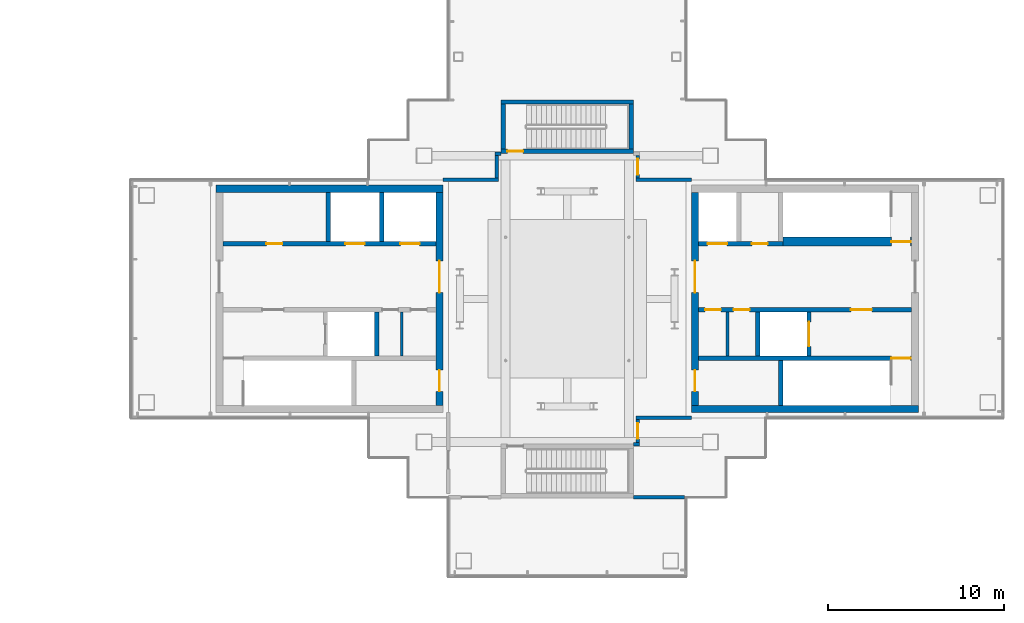
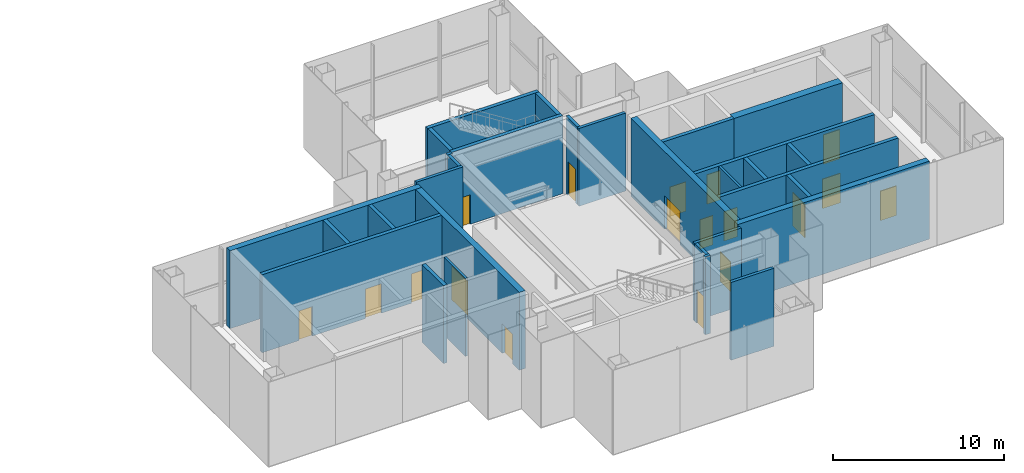
# One storey, part 11 of 17: 30 walls, 18 doors, 18 openings.
"""IFC4 building model written with IfcOpenShell, lengths in metres."""

from ifc_helpers import new_model, si_unit, direction, frame, frame_2d, origin, place, context, subcontext, project, spatial, rectangle, extrude, material, layer, layer_set, type_object, element, fill, save


model = new_model("IFC4")

# Units and contexts
model_context = context("Model", 3, precision=1e-05, world=origin(), true_north=direction((0.0, 1.0)))
body_context = subcontext(model_context, "Body", "Model", "MODEL_VIEW")
ifc_project = project(units=[si_unit("LENGTHUNIT", "METRE"), si_unit("AREAUNIT", "SQUARE_METRE"), si_unit("VOLUMEUNIT", "CUBIC_METRE"), si_unit("PLANEANGLEUNIT", "RADIAN"), si_unit("MASSUNIT", "GRAM", prefix="KILO")], contexts=[model_context])

# Site, building, storey
site_placement = place(None, origin())
site = spatial("IfcSite", under=ifc_project, at=site_placement, CompositionType="ELEMENT")
building_placement = place(site_placement, origin())
building = spatial("IfcBuilding", under=site, at=building_placement, Name="Shamsa Quay Exchange Towers", CompositionType="ELEMENT")
storey_placement = place(building_placement, frame((0.0, 0.0, 278.300048828125)))
storey = spatial("IfcBuildingStorey", under=building, at=storey_placement, Name="L67", CompositionType="ELEMENT", Elevation=278.300048828125)

# Wall
ifc_material_1 = material(Name="Concrete C60/75", Category="concrete")
ifc_layer_1 = layer(ifc_material_1, 0.39990234375)
ifc_layer_set_1 = layer_set([ifc_layer_1], Name="CORE WALL 400 C60/75")
wall_type_1 = type_object("IfcWallType", Name="CORE WALL 400 C60/75", PredefinedType="SHEAR", material=ifc_layer_set_1)
wall_1_placement = place(storey_placement, frame((13.800048828125, 6.25, 0.0)))
element("IfcWall", 1, at=wall_1_placement, inside=storey, type_object=wall_type_1, Name="Core wall T2A-L67-PN", PredefinedType="SHEAR", context=body_context, shape_type="SweptSolid", body=[
    extrude(rectangle(XDim=12.89990234375, YDim=0.39990234375, at=frame_2d((6.449951171875, 0.0))), origin(), (0.0, 0.0, 1.0), 5.550048828125),
])

# Wall, openings, doors
wall_2_placement = place(storey_placement, frame((26.5, 6.050048828125, 0.0), z_axis=(0.0, 0.0, 1.0), x_axis=(0.0, -1.0, 0.0)))
wall_2 = element("IfcWall", 2, at=wall_2_placement, inside=storey, type_object=wall_type_1, Name="Core wall T2A-L67-PB", PredefinedType="SHEAR", context=body_context, shape_type="SweptSolid", body=[
    extrude(rectangle(XDim=12.10009765625, YDim=0.39990234375, at=frame_2d((6.050048828125, 0.0))), origin(), (0.0, 0.0, 1.0), 5.550048828125),
])
opening_1_placement = place(wall_2_placement, frame((10.10009765625, 0.0, 0.0)))
opening_1 = element("IfcOpeningElement", 3, at=opening_1_placement, cuts=wall_2, Name="Opening T2A-L67-RD02", PredefinedType="OPENING", context=body_context, shape_type="SweptSolid", body=[
    extrude(rectangle(XDim=1.199951171875, YDim=2.10009765625, at=frame_2d((0.60009765625, 1.050048828125))), frame((0.0, 0.2099609375, 0.0), z_axis=(0.0, -1.0, 0.0), x_axis=(1.0, 0.0, 0.0)), (0.0, 0.0, 1.0), 0.419921875),
])
opening_2_placement = place(wall_2_placement, frame((3.89990234375, 0.0, 0.0)))
opening_2 = element("IfcOpeningElement", 4, at=opening_2_placement, cuts=wall_2, Name="Opening T2A-L67-LBD03", PredefinedType="OPENING", context=body_context, shape_type="SweptSolid", body=[
    extrude(rectangle(XDim=1.800048828125, YDim=2.39990234375, at=frame_2d((0.89990234375, 1.199951171875))), frame((0.0, 0.2099609375, 0.0), z_axis=(0.0, -1.0, 0.0), x_axis=(1.0, 0.0, 0.0)), (0.0, 0.0, 1.0), 0.419921875),
])
ifc_material_2 = material(Name="Steel, fire rated", Category="steel")
door_type_1 = type_object("IfcDoorType", Name="LIFT LOBBY DOOR PAIR 1800", OperationType="DOUBLE_DOOR_SINGLE_SWING", PredefinedType="DOOR", material=ifc_material_2)
door_1_placement = place(opening_2_placement, origin())
door_1 = element("IfcDoor", 5, at=door_1_placement, inside=storey, type_object=door_type_1, Name="T2A-L67-LBD03", OperationType="DOUBLE_DOOR_SINGLE_SWING", OverallHeight=2.39990234375, OverallWidth=1.800048828125, PredefinedType="DOOR", context=body_context, shape_type="SweptSolid", body=[
    extrude(rectangle(XDim=1.800048828125, YDim=2.39990234375, at=frame_2d((0.89990234375, 1.199951171875))), frame((0.0, 0.02490234375, 0.0), z_axis=(0.0, -1.0, 0.0), x_axis=(1.0, 0.0, 0.0)), (0.0, 0.0, 1.0), 0.050048828125),
])
fill(opening_2, door_1)
door_type_2 = type_object("IfcDoorType", Name="RISER ACCESS DOOR 1200", OperationType="SINGLE_SWING_LEFT", PredefinedType="DOOR", material=ifc_material_2)
door_2_placement = place(opening_1_placement, origin())
door_2 = element("IfcDoor", 6, at=door_2_placement, inside=storey, type_object=door_type_2, Name="T2A-L67-RD02", OperationType="SINGLE_SWING_RIGHT", OverallHeight=2.10009765625, OverallWidth=1.199951171875, PredefinedType="DOOR", context=body_context, shape_type="SweptSolid", body=[
    extrude(rectangle(XDim=1.199951171875, YDim=2.10009765625, at=frame_2d((0.60009765625, 1.050048828125))), frame((0.0, 0.02490234375, 0.0), z_axis=(0.0, -1.0, 0.0), x_axis=(1.0, 0.0, 0.0)), (0.0, 0.0, 1.0), 0.050048828125),
])
fill(opening_1, door_2)

# Wall
wall_3_placement = place(storey_placement, frame((53.699951171875, -6.25, 0.0), z_axis=(0.0, 0.0, 1.0), x_axis=(-1.0, 0.0, 0.0)))
element("IfcWall", 7, at=wall_3_placement, inside=storey, type_object=wall_type_1, Name="Core wall T2B-L67-PS", PredefinedType="SHEAR", context=body_context, shape_type="SweptSolid", body=[
    extrude(rectangle(XDim=12.89990234375, YDim=0.39990234375, at=frame_2d((6.449951171875, 0.0))), origin(), (0.0, 0.0, 1.0), 5.550048828125),
])

# Wall, openings, doors
wall_4_placement = place(storey_placement, frame((41.0, -6.050048828125, 0.0), z_axis=(0.0, 0.0, 1.0), x_axis=(0.0, 1.0, 0.0)))
wall_4 = element("IfcWall", 8, at=wall_4_placement, inside=storey, type_object=wall_type_1, Name="Core wall T2B-L67-PB", PredefinedType="SHEAR", context=body_context, shape_type="SweptSolid", body=[
    extrude(rectangle(XDim=12.10009765625, YDim=0.39990234375, at=frame_2d((6.050048828125, 0.0))), origin(), (0.0, 0.0, 1.0), 5.550048828125),
])
opening_3_placement = place(wall_4_placement, frame((0.800048828125, 0.0, 0.0)))
opening_3 = element("IfcOpeningElement", 9, at=opening_3_placement, cuts=wall_4, Name="Opening T2B-L67-RD02", PredefinedType="OPENING", context=body_context, shape_type="SweptSolid", body=[
    extrude(rectangle(XDim=1.199951171875, YDim=2.10009765625, at=frame_2d((0.60009765625, 1.050048828125))), frame((0.0, 0.2099609375, 0.0), z_axis=(0.0, -1.0, 0.0), x_axis=(1.0, 0.0, 0.0)), (0.0, 0.0, 1.0), 0.419921875),
])
opening_4_placement = place(wall_4_placement, frame((6.39990234375, 0.0, 0.0)))
opening_4 = element("IfcOpeningElement", 10, at=opening_4_placement, cuts=wall_4, Name="Opening T2B-L67-LBD03", PredefinedType="OPENING", context=body_context, shape_type="SweptSolid", body=[
    extrude(rectangle(XDim=1.800048828125, YDim=2.39990234375, at=frame_2d((0.89990234375, 1.199951171875))), frame((0.0, 0.2099609375, 0.0), z_axis=(0.0, -1.0, 0.0), x_axis=(1.0, 0.0, 0.0)), (0.0, 0.0, 1.0), 0.419921875),
])
door_3_placement = place(opening_4_placement, origin())
door_3 = element("IfcDoor", 11, at=door_3_placement, inside=storey, type_object=door_type_1, Name="T2B-L67-LBD03", OperationType="DOUBLE_DOOR_SINGLE_SWING", OverallHeight=2.39990234375, OverallWidth=1.800048828125, PredefinedType="DOOR", context=body_context, shape_type="SweptSolid", body=[
    extrude(rectangle(XDim=1.800048828125, YDim=2.39990234375, at=frame_2d((0.89990234375, 1.199951171875))), frame((0.0, 0.02490234375, 0.0), z_axis=(0.0, -1.0, 0.0), x_axis=(1.0, 0.0, 0.0)), (0.0, 0.0, 1.0), 0.050048828125),
])
fill(opening_4, door_3)
door_4_placement = place(opening_3_placement, origin())
door_4 = element("IfcDoor", 12, at=door_4_placement, inside=storey, type_object=door_type_2, Name="T2B-L67-RD02", OperationType="SINGLE_SWING_LEFT", OverallHeight=2.10009765625, OverallWidth=1.199951171875, PredefinedType="DOOR", context=body_context, shape_type="SweptSolid", body=[
    extrude(rectangle(XDim=1.199951171875, YDim=2.10009765625, at=frame_2d((0.60009765625, 1.050048828125))), frame((0.0, 0.02490234375, 0.0), z_axis=(0.0, -1.0, 0.0), x_axis=(1.0, 0.0, 0.0)), (0.0, 0.0, 1.0), 0.050048828125),
])
fill(opening_3, door_4)

# Walls
ifc_material_3 = material(Name="Gypsum board on steel studs, EI 60", Category="steel")
ifc_layer_2 = layer(ifc_material_3, 0.14990234375)
ifc_layer_set_2 = layer_set([ifc_layer_2], Name="FIRE PARTITION 150")
wall_type_2 = type_object("IfcWallType", Name="FIRE PARTITION 150", PredefinedType="PARTITIONING", material=ifc_layer_set_2)
for number, where, z_axis, x_axis, name in (
    (13, (24.35009765625, -3.25, 0.0), (0.0, 0.0, 1.0), (0.0, 1.0, 0.0), "Partition T2A-L67-EC0"),
    (14, (42.85009765625, -3.25, 0.0), (0.0, 0.0, 1.0), (0.0, 1.0, 0.0), "Partition T2B-L67-EC0"),
):
    element("IfcWall", number, at=place(storey_placement, frame(where, z_axis=z_axis, x_axis=x_axis)), inside=storey, type_object=wall_type_2, Name=name, PredefinedType="PARTITIONING", context=body_context, shape_type="SweptSolid", body=[
        extrude(rectangle(XDim=2.5, YDim=0.14990234375, at=frame_2d((1.25, 0.0))), origin(), (0.0, 0.0, 1.0), 5.550048828125),
    ])
ifc_material_4 = material(Name="Gypsum board partition on metal studs")
ifc_layer_3 = layer(ifc_material_4, 0.199951171875)
ifc_layer_set_3 = layer_set([ifc_layer_3], Name="Partition 200 mm EI 120")
wall_type_3 = type_object("IfcWallType", Name="Partition 200 mm EI 120", PredefinedType="PARTITIONING", material=ifc_layer_set_3)
for number, where, name in (
    (15, (37.64990234375, 6.75, 0.0), "Partition T2-L67-W01"),
    (16, (26.699951171875, 6.75, 0.0), "Partition T2-L67-W02"),
):
    element("IfcWall", number, at=place(storey_placement, frame(where)), inside=storey, type_object=wall_type_3, Name=name, PredefinedType="PARTITIONING", context=body_context, shape_type="SweptSolid", body=[
        extrude(rectangle(XDim=3.150146484375, YDim=0.199951171875, at=frame_2d((1.5751953125, 0.0))), origin(), (0.0, 0.0, 1.0), 5.550048828125),
    ])

# Wall, opening, door
wall_5_placement = place(storey_placement, frame((37.75, -6.85009765625, 0.0), z_axis=(0.0, 0.0, 1.0), x_axis=(0.0, -1.0, 0.0)))
wall_5 = element("IfcWall", 17, at=wall_5_placement, inside=storey, type_object=wall_type_3, Name="Partition T2-L67-W03", PredefinedType="PARTITIONING", context=body_context, shape_type="SweptSolid", body=[
    extrude(rectangle(XDim=1.2998046875, YDim=0.199951171875, at=frame_2d((0.64990234375, 0.0))), origin(), (0.0, 0.0, 1.0), 5.550048828125),
])
opening_5_placement = place(wall_5_placement, frame((0.199951171875, 0.0, 0.0)))
opening_5 = element("IfcOpeningElement", 18, at=opening_5_placement, cuts=wall_5, Name="Opening T2-L67-D01", PredefinedType="OPENING", context=body_context, shape_type="SweptSolid", body=[
    extrude(rectangle(XDim=0.89990234375, YDim=2.39990234375, at=frame_2d((0.449951171875, 1.199951171875))), frame((0.0, 0.10986328125, 0.0), z_axis=(0.0, -1.0, 0.0), x_axis=(1.0, 0.0, 0.0)), (0.0, 0.0, 1.0), 0.219970703125),
])
ifc_material_5 = material(Name="Timber door leaf in a metal frame", Category="wood")
door_type_3 = type_object("IfcDoorType", Name="Door 900x2400 FD60", OperationType="NOTDEFINED", PredefinedType="DOOR", material=ifc_material_5)
door_5_placement = place(opening_5_placement, origin())
door_5 = element("IfcDoor", 19, at=door_5_placement, inside=storey, type_object=door_type_3, Name="Door T2-L67-D01", OperationType="SINGLE_SWING_LEFT", OverallHeight=2.39990234375, OverallWidth=0.89990234375, PredefinedType="DOOR", context=body_context, shape_type="SweptSolid", body=[
    extrude(rectangle(XDim=0.89990234375, YDim=2.39990234375, at=frame_2d((0.449951171875, 1.199951171875))), frame((0.0, 0.02490234375, 0.0), z_axis=(0.0, -1.0, 0.0), x_axis=(1.0, 0.0, 0.0)), (0.0, 0.0, 1.0), 0.050048828125),
])
fill(opening_5, door_5)

wall_6_placement = place(storey_placement, frame((37.75, 8.14990234375, 0.0), z_axis=(0.0, 0.0, 1.0), x_axis=(0.0, -1.0, 0.0)))
wall_6 = element("IfcWall", 20, at=wall_6_placement, inside=storey, type_object=wall_type_3, Name="Partition T2-L67-W04", PredefinedType="PARTITIONING", context=body_context, shape_type="SweptSolid", body=[
    extrude(rectangle(XDim=1.2998046875, YDim=0.199951171875, at=frame_2d((0.64990234375, 0.0))), origin(), (0.0, 0.0, 1.0), 5.550048828125),
])
opening_6_placement = place(wall_6_placement, frame((0.199951171875, 0.0, 0.0)))
opening_6 = element("IfcOpeningElement", 21, at=opening_6_placement, cuts=wall_6, Name="Opening T2-L67-D02", PredefinedType="OPENING", context=body_context, shape_type="SweptSolid", body=[
    extrude(rectangle(XDim=0.89990234375, YDim=2.39990234375, at=frame_2d((0.449951171875, 1.199951171875))), frame((0.0, 0.10986328125, 0.0), z_axis=(0.0, -1.0, 0.0), x_axis=(1.0, 0.0, 0.0)), (0.0, 0.0, 1.0), 0.219970703125),
])
door_6_placement = place(opening_6_placement, origin())
door_6 = element("IfcDoor", 22, at=door_6_placement, inside=storey, type_object=door_type_3, Name="Door T2-L67-D02", OperationType="SINGLE_SWING_LEFT", OverallHeight=2.39990234375, OverallWidth=0.89990234375, PredefinedType="DOOR", context=body_context, shape_type="SweptSolid", body=[
    extrude(rectangle(XDim=0.89990234375, YDim=2.39990234375, at=frame_2d((0.449951171875, 1.199951171875))), frame((0.0, 0.02490234375, 0.0), z_axis=(0.0, -1.0, 0.0), x_axis=(1.0, 0.0, 0.0)), (0.0, 0.0, 1.0), 0.050048828125),
])
fill(opening_6, door_6)

# Walls
wall_7_placement = place(storey_placement, frame((29.64990234375, 8.25, 0.0)))
element("IfcWall", 23, at=wall_7_placement, inside=storey, type_object=wall_type_3, Name="Partition T2-L67-W06", PredefinedType="PARTITIONING", context=body_context, shape_type="SweptSolid", body=[
    extrude(rectangle(XDim=0.35009765625, YDim=0.199951171875, at=frame_2d((0.175048828125, 0.0))), origin(), (0.0, 0.0, 1.0), 5.550048828125),
])
wall_8_placement = place(storey_placement, frame((29.75, 6.85009765625, 0.0), z_axis=(0.0, 0.0, 1.0), x_axis=(0.0, 1.0, 0.0)))
element("IfcWall", 24, at=wall_8_placement, inside=storey, type_object=wall_type_3, Name="Partition T2-L67-W07", PredefinedType="PARTITIONING", context=body_context, shape_type="SweptSolid", body=[
    extrude(rectangle(XDim=1.2998046875, YDim=0.199951171875, at=frame_2d((0.64990234375, 0.0))), origin(), (0.0, 0.0, 1.0), 5.550048828125),
])
wall_9_placement = place(storey_placement, frame((37.85009765625, -8.25, 0.0), z_axis=(0.0, 0.0, 1.0), x_axis=(-1.0, 0.0, 0.0)))
element("IfcWall", 25, at=wall_9_placement, inside=storey, type_object=wall_type_3, Name="Partition T2-L67-W08", PredefinedType="PARTITIONING", context=body_context, shape_type="SweptSolid", body=[
    extrude(rectangle(XDim=0.35009765625, YDim=0.199951171875, at=frame_2d((0.175048828125, 0.0))), origin(), (0.0, 0.0, 1.0), 5.550048828125),
])
wall_10_placement = place(storey_placement, frame((40.800048828125, -6.75, 0.0), z_axis=(0.0, 0.0, 1.0), x_axis=(-1.0, 0.0, 0.0)))
element("IfcWall", 26, at=wall_10_placement, inside=storey, type_object=wall_type_3, Name="Partition T2-L67-W09", PredefinedType="PARTITIONING", context=body_context, shape_type="SweptSolid", body=[
    extrude(rectangle(XDim=3.150146484375, YDim=0.199951171875, at=frame_2d((1.5751953125, 0.0))), origin(), (0.0, 0.0, 1.0), 5.550048828125),
])
wall_11_placement = place(storey_placement, frame((37.5, -11.25, 0.0)))
element("IfcWall", 27, at=wall_11_placement, inside=storey, type_object=wall_type_3, Name="Partition T2-L67-W12", PredefinedType="PARTITIONING", context=body_context, shape_type="SweptSolid", body=[
    extrude(rectangle(XDim=2.905029296875, YDim=0.199951171875, at=frame_2d((1.45263671875, 0.0))), origin(), (0.0, 0.0, 1.0), 5.550048828125),
])
ifc_material_6 = material(Name="Concrete C50/60", Category="concrete")
ifc_layer_4 = layer(ifc_material_6, 0.25)
ifc_layer_set_4 = layer_set([ifc_layer_4], Name="SHAFT WALL 250 C50/60")
wall_type_4 = type_object("IfcWallType", Name="SHAFT WALL 250 C50/60", PredefinedType="SHEAR", material=ifc_layer_set_4)
wall_12_placement = place(storey_placement, frame((22.925048828125, -3.25, 0.0), z_axis=(0.0, 0.0, 1.0), x_axis=(0.0, 1.0, 0.0)))
element("IfcWall", 28, at=wall_12_placement, inside=storey, type_object=wall_type_4, Name="Shaft wall T2A-L67-FFB", PredefinedType="SHEAR", context=body_context, shape_type="SweptSolid", body=[
    extrude(rectangle(XDim=2.5, YDim=0.25, at=frame_2d((1.25, 0.0))), origin(), (0.0, 0.0, 1.0), 5.550048828125),
])

# Wall, openings, doors
wall_13_placement = place(storey_placement, frame((14.199951171875, 3.125, 0.0)))
wall_13 = element("IfcWall", 29, at=wall_13_placement, inside=storey, type_object=wall_type_4, Name="Shaft wall T2A-L67-N", PredefinedType="SHEAR", context=body_context, shape_type="SweptSolid", body=[
    extrude(rectangle(XDim=12.10009765625, YDim=0.25, at=frame_2d((6.050048828125, 0.0))), origin(), (0.0, 0.0, 1.0), 5.550048828125),
])
opening_7_placement = place(wall_13_placement, frame((6.949951171875, 0.0, 0.0)))
opening_7 = element("IfcOpeningElement", 30, at=opening_7_placement, cuts=wall_13, Name="Opening T2A-L67-LD09", PredefinedType="OPENING", context=body_context, shape_type="SweptSolid", body=[
    extrude(rectangle(XDim=1.10009765625, YDim=2.10009765625, at=frame_2d((0.550048828125, 1.050048828125))), frame((0.0, 0.135009765625, 0.0), z_axis=(0.0, -1.0, 0.0), x_axis=(1.0, 0.0, 0.0)), (0.0, 0.0, 1.0), 0.27001953125),
])
opening_8_placement = place(wall_13_placement, frame((10.074951171875, 0.0, 0.0)))
opening_8 = element("IfcOpeningElement", 31, at=opening_8_placement, cuts=wall_13, Name="Opening T2A-L67-LD10", PredefinedType="OPENING", context=body_context, shape_type="SweptSolid", body=[
    extrude(rectangle(XDim=1.10009765625, YDim=2.10009765625, at=frame_2d((0.550048828125, 1.050048828125))), frame((0.0, 0.135009765625, 0.0), z_axis=(0.0, -1.0, 0.0), x_axis=(1.0, 0.0, 0.0)), (0.0, 0.0, 1.0), 0.27001953125),
])
opening_9_placement = place(wall_13_placement, frame((2.47509765625, 0.0, 0.0)))
opening_9 = element("IfcOpeningElement", 32, at=opening_9_placement, cuts=wall_13, Name="Opening T2A-L67-SV11", PredefinedType="OPENING", context=body_context, shape_type="SweptSolid", body=[
    extrude(rectangle(XDim=0.89990234375, YDim=2.10009765625, at=frame_2d((0.449951171875, 1.050048828125))), frame((0.0, 0.135009765625, 0.0), z_axis=(0.0, -1.0, 0.0), x_axis=(1.0, 0.0, 0.0)), (0.0, 0.0, 1.0), 0.27001953125),
])
door_type_4 = type_object("IfcDoorType", Name="LANDING DOOR 1100", OperationType="SLIDING_TO_LEFT", PredefinedType="DOOR", material=ifc_material_2)
door_7_placement = place(opening_7_placement, origin())
door_7 = element("IfcDoor", 33, at=door_7_placement, inside=storey, type_object=door_type_4, Name="T2A-L67-LD09", OperationType="SLIDING_TO_LEFT", OverallHeight=2.10009765625, OverallWidth=1.10009765625, PredefinedType="DOOR", context=body_context, shape_type="SweptSolid", body=[
    extrude(rectangle(XDim=1.10009765625, YDim=2.10009765625, at=frame_2d((0.550048828125, 1.050048828125))), frame((0.0, 0.02490234375, 0.0), z_axis=(0.0, -1.0, 0.0), x_axis=(1.0, 0.0, 0.0)), (0.0, 0.0, 1.0), 0.050048828125),
])
fill(opening_7, door_7)
door_8_placement = place(opening_8_placement, origin())
door_8 = element("IfcDoor", 34, at=door_8_placement, inside=storey, type_object=door_type_4, Name="T2A-L67-LD10", OperationType="SLIDING_TO_LEFT", OverallHeight=2.10009765625, OverallWidth=1.10009765625, PredefinedType="DOOR", context=body_context, shape_type="SweptSolid", body=[
    extrude(rectangle(XDim=1.10009765625, YDim=2.10009765625, at=frame_2d((0.550048828125, 1.050048828125))), frame((0.0, 0.02490234375, 0.0), z_axis=(0.0, -1.0, 0.0), x_axis=(1.0, 0.0, 0.0)), (0.0, 0.0, 1.0), 0.050048828125),
])
fill(opening_8, door_8)
door_type_5 = type_object("IfcDoorType", Name="SERVICE ROOM DOOR 900", OperationType="SINGLE_SWING_LEFT", PredefinedType="DOOR", material=ifc_material_2)
door_9_placement = place(opening_9_placement, origin())
door_9 = element("IfcDoor", 35, at=door_9_placement, inside=storey, type_object=door_type_5, Name="T2A-L67-SV11", OperationType="SINGLE_SWING_LEFT", OverallHeight=2.10009765625, OverallWidth=0.89990234375, PredefinedType="DOOR", context=body_context, shape_type="SweptSolid", body=[
    extrude(rectangle(XDim=0.89990234375, YDim=2.10009765625, at=frame_2d((0.449951171875, 1.050048828125))), frame((0.0, 0.02490234375, 0.0), z_axis=(0.0, -1.0, 0.0), x_axis=(1.0, 0.0, 0.0)), (0.0, 0.0, 1.0), 0.050048828125),
])
fill(opening_9, door_9)

# Walls
for number, where, z_axis, x_axis, name in (
    (36, (20.175048828125, 3.25, 0.0), (0.0, 0.0, 1.0), (0.0, 1.0, 0.0), "Shaft wall T2A-L67-D1"),
    (37, (23.22509765625, 3.25, 0.0), (0.0, 0.0, 1.0), (0.0, 1.0, 0.0), "Shaft wall T2A-L67-D2"),
):
    element("IfcWall", number, at=place(storey_placement, frame(where, z_axis=z_axis, x_axis=x_axis)), inside=storey, type_object=wall_type_4, Name=name, PredefinedType="SHEAR", context=body_context, shape_type="SweptSolid", body=[
        extrude(rectangle(XDim=2.800048828125, YDim=0.25, at=frame_2d((1.39990234375, 0.0))), origin(), (0.0, 0.0, 1.0), 5.550048828125),
    ])

# Wall, opening, door
wall_14_placement = place(storey_placement, frame((53.300048828125, -3.375, 0.0), z_axis=(0.0, 0.0, 1.0), x_axis=(-1.0, 0.0, 0.0)))
wall_14 = element("IfcWall", 38, at=wall_14_placement, inside=storey, type_object=wall_type_4, Name="Shaft wall T2B-L67-STL", PredefinedType="SHEAR", context=body_context, shape_type="SweptSolid", body=[
    extrude(rectangle(XDim=12.10009765625, YDim=0.25, at=frame_2d((6.050048828125, 0.0))), origin(), (0.0, 0.0, 1.0), 5.550048828125),
])
opening_10_placement = place(wall_14_placement, frame((0.050048828125, 0.0, 0.0)))
opening_10 = element("IfcOpeningElement", 39, at=opening_10_placement, cuts=wall_14, Name="Opening T2B-L67-SD04", PredefinedType="OPENING", context=body_context, shape_type="SweptSolid", body=[
    extrude(rectangle(XDim=1.10009765625, YDim=2.10009765625, at=frame_2d((0.550048828125, 1.050048828125))), frame((0.0, 0.135009765625, 0.0), z_axis=(0.0, -1.0, 0.0), x_axis=(1.0, 0.0, 0.0)), (0.0, 0.0, 1.0), 0.27001953125),
])
door_type_6 = type_object("IfcDoorType", Name="STAIR DOOR 1100", OperationType="SINGLE_SWING_LEFT", PredefinedType="DOOR", material=ifc_material_2)
door_10_placement = place(opening_10_placement, origin())
door_10 = element("IfcDoor", 40, at=door_10_placement, inside=storey, type_object=door_type_6, Name="T2B-L67-SD04", OperationType="SINGLE_SWING_LEFT", OverallHeight=2.10009765625, OverallWidth=1.10009765625, PredefinedType="DOOR", context=body_context, shape_type="SweptSolid", body=[
    extrude(rectangle(XDim=1.10009765625, YDim=2.10009765625, at=frame_2d((0.550048828125, 1.050048828125))), frame((0.0, 0.02490234375, 0.0), z_axis=(0.0, -1.0, 0.0), x_axis=(1.0, 0.0, 0.0)), (0.0, 0.0, 1.0), 0.050048828125),
])
fill(opening_10, door_10)

# Wall
wall_15_placement = place(storey_placement, frame((45.875, -6.050048828125, 0.0), z_axis=(0.0, 0.0, 1.0), x_axis=(0.0, 1.0, 0.0)))
element("IfcWall", 41, at=wall_15_placement, inside=storey, type_object=wall_type_4, Name="Shaft wall T2B-L67-STF", PredefinedType="SHEAR", context=body_context, shape_type="SweptSolid", body=[
    extrude(rectangle(XDim=2.550048828125, YDim=0.25, at=frame_2d((1.27490234375, 0.0))), origin(), (0.0, 0.0, 1.0), 5.550048828125),
])

# Wall, openings, doors
wall_16_placement = place(storey_placement, frame((53.300048828125, -0.625, 0.0), z_axis=(0.0, 0.0, 1.0), x_axis=(-1.0, 0.0, 0.0)))
wall_16 = element("IfcWall", 42, at=wall_16_placement, inside=storey, type_object=wall_type_4, Name="Shaft wall T2B-L67-B", PredefinedType="SHEAR", context=body_context, shape_type="SweptSolid", body=[
    extrude(rectangle(XDim=12.10009765625, YDim=0.25, at=frame_2d((6.050048828125, 0.0))), origin(), (0.0, 0.0, 1.0), 5.550048828125),
])
opening_11_placement = place(wall_16_placement, frame((2.25, 0.0, 0.0)))
opening_11 = element("IfcOpeningElement", 43, at=opening_11_placement, cuts=wall_16, Name="Opening T2B-L67-FD05", PredefinedType="OPENING", context=body_context, shape_type="SweptSolid", body=[
    extrude(rectangle(XDim=1.199951171875, YDim=2.10009765625, at=frame_2d((0.60009765625, 1.050048828125))), frame((0.0, 0.135009765625, 0.0), z_axis=(0.0, -1.0, 0.0), x_axis=(1.0, 0.0, 0.0)), (0.0, 0.0, 1.0), 0.27001953125),
])
opening_12_placement = place(wall_16_placement, frame((9.199951171875, 0.0, 0.0)))
opening_12 = element("IfcOpeningElement", 44, at=opening_12_placement, cuts=wall_16, Name="Opening T2B-L67-SV06", PredefinedType="OPENING", context=body_context, shape_type="SweptSolid", body=[
    extrude(rectangle(XDim=0.89990234375, YDim=2.10009765625, at=frame_2d((0.449951171875, 1.050048828125))), frame((0.0, 0.135009765625, 0.0), z_axis=(0.0, -1.0, 0.0), x_axis=(1.0, 0.0, 0.0)), (0.0, 0.0, 1.0), 0.27001953125),
])
opening_13_placement = place(wall_16_placement, frame((10.824951171875, 0.0, 0.0)))
opening_13 = element("IfcOpeningElement", 45, at=opening_13_placement, cuts=wall_16, Name="Opening T2B-L67-SV07", PredefinedType="OPENING", context=body_context, shape_type="SweptSolid", body=[
    extrude(rectangle(XDim=0.89990234375, YDim=2.10009765625, at=frame_2d((0.449951171875, 1.050048828125))), frame((0.0, 0.135009765625, 0.0), z_axis=(0.0, -1.0, 0.0), x_axis=(1.0, 0.0, 0.0)), (0.0, 0.0, 1.0), 0.27001953125),
])
door_type_7 = type_object("IfcDoorType", Name="FIRE SERVICE LOBBY DOOR 1200", OperationType="SINGLE_SWING_LEFT", PredefinedType="DOOR", material=ifc_material_2)
door_11_placement = place(opening_11_placement, origin())
door_11 = element("IfcDoor", 46, at=door_11_placement, inside=storey, type_object=door_type_7, Name="T2B-L67-FD05", OperationType="SINGLE_SWING_LEFT", OverallHeight=2.10009765625, OverallWidth=1.199951171875, PredefinedType="DOOR", context=body_context, shape_type="SweptSolid", body=[
    extrude(rectangle(XDim=1.199951171875, YDim=2.10009765625, at=frame_2d((0.60009765625, 1.050048828125))), frame((0.0, 0.02490234375, 0.0), z_axis=(0.0, -1.0, 0.0), x_axis=(1.0, 0.0, 0.0)), (0.0, 0.0, 1.0), 0.050048828125),
])
fill(opening_11, door_11)
door_12_placement = place(opening_12_placement, origin())
door_12 = element("IfcDoor", 47, at=door_12_placement, inside=storey, type_object=door_type_5, Name="T2B-L67-SV06", OperationType="SINGLE_SWING_RIGHT", OverallHeight=2.10009765625, OverallWidth=0.89990234375, PredefinedType="DOOR", context=body_context, shape_type="SweptSolid", body=[
    extrude(rectangle(XDim=0.89990234375, YDim=2.10009765625, at=frame_2d((0.449951171875, 1.050048828125))), frame((0.0, 0.02490234375, 0.0), z_axis=(0.0, -1.0, 0.0), x_axis=(1.0, 0.0, 0.0)), (0.0, 0.0, 1.0), 0.050048828125),
])
fill(opening_12, door_12)
door_13_placement = place(opening_13_placement, origin())
door_13 = element("IfcDoor", 48, at=door_13_placement, inside=storey, type_object=door_type_5, Name="T2B-L67-SV07", OperationType="SINGLE_SWING_RIGHT", OverallHeight=2.10009765625, OverallWidth=0.89990234375, PredefinedType="DOOR", context=body_context, shape_type="SweptSolid", body=[
    extrude(rectangle(XDim=0.89990234375, YDim=2.10009765625, at=frame_2d((0.449951171875, 1.050048828125))), frame((0.0, 0.02490234375, 0.0), z_axis=(0.0, -1.0, 0.0), x_axis=(1.0, 0.0, 0.0)), (0.0, 0.0, 1.0), 0.050048828125),
])
fill(opening_13, door_13)

# Wall, opening, door
wall_17_placement = place(storey_placement, frame((47.47509765625, -3.25, 0.0), z_axis=(0.0, 0.0, 1.0), x_axis=(0.0, 1.0, 0.0)))
wall_17 = element("IfcWall", 49, at=wall_17_placement, inside=storey, type_object=wall_type_4, Name="Shaft wall T2B-L67-FFF", PredefinedType="SHEAR", context=body_context, shape_type="SweptSolid", body=[
    extrude(rectangle(XDim=2.5, YDim=0.25, at=frame_2d((1.25, 0.0))), origin(), (0.0, 0.0, 1.0), 5.550048828125),
])
opening_14_placement = place(wall_17_placement, frame((0.550048828125, 0.0, 0.0)))
opening_14 = element("IfcOpeningElement", 50, at=opening_14_placement, cuts=wall_17, Name="Opening T2B-L67-LDG08", PredefinedType="OPENING", context=body_context, shape_type="SweptSolid", body=[
    extrude(rectangle(XDim=1.39990234375, YDim=2.39990234375, at=frame_2d((0.699951171875, 1.199951171875))), frame((0.0, 0.135009765625, 0.0), z_axis=(0.0, -1.0, 0.0), x_axis=(1.0, 0.0, 0.0)), (0.0, 0.0, 1.0), 0.27001953125),
])
door_type_8 = type_object("IfcDoorType", Name="GOODS LIFT LANDING DOOR 1400", OperationType="SLIDING_TO_LEFT", PredefinedType="DOOR", material=ifc_material_2)
door_14_placement = place(opening_14_placement, origin())
door_14 = element("IfcDoor", 51, at=door_14_placement, inside=storey, type_object=door_type_8, Name="T2B-L67-LDG08", OperationType="SLIDING_TO_LEFT", OverallHeight=2.39990234375, OverallWidth=1.39990234375, PredefinedType="DOOR", context=body_context, shape_type="SweptSolid", body=[
    extrude(rectangle(XDim=1.39990234375, YDim=2.39990234375, at=frame_2d((0.699951171875, 1.199951171875))), frame((0.0, 0.02490234375, 0.0), z_axis=(0.0, -1.0, 0.0), x_axis=(1.0, 0.0, 0.0)), (0.0, 0.0, 1.0), 0.050048828125),
])
fill(opening_14, door_14)

# Wall
wall_18_placement = place(storey_placement, frame((44.574951171875, -3.25, 0.0), z_axis=(0.0, 0.0, 1.0), x_axis=(0.0, 1.0, 0.0)))
element("IfcWall", 52, at=wall_18_placement, inside=storey, type_object=wall_type_4, Name="Shaft wall T2B-L67-FFB", PredefinedType="SHEAR", context=body_context, shape_type="SweptSolid", body=[
    extrude(rectangle(XDim=2.5, YDim=0.25, at=frame_2d((1.25, 0.0))), origin(), (0.0, 0.0, 1.0), 5.550048828125),
])

# Wall, openings, doors
wall_19_placement = place(storey_placement, frame((41.199951171875, 3.125, 0.0)))
wall_19 = element("IfcWall", 53, at=wall_19_placement, inside=storey, type_object=wall_type_4, Name="Shaft wall T2B-L67-N2", PredefinedType="SHEAR", context=body_context, shape_type="SweptSolid", body=[
    extrude(rectangle(XDim=4.800048828125, YDim=0.25, at=frame_2d((2.39990234375, 0.0))), origin(), (0.0, 0.0, 1.0), 5.550048828125),
])
opening_15_placement = place(wall_19_placement, frame((0.52490234375, 0.0, 0.0)))
opening_15 = element("IfcOpeningElement", 54, at=opening_15_placement, cuts=wall_19, Name="Opening T2B-L67-LD10", PredefinedType="OPENING", context=body_context, shape_type="SweptSolid", body=[
    extrude(rectangle(XDim=1.10009765625, YDim=2.10009765625, at=frame_2d((0.550048828125, 1.050048828125))), frame((0.0, 0.135009765625, 0.0), z_axis=(0.0, -1.0, 0.0), x_axis=(1.0, 0.0, 0.0)), (0.0, 0.0, 1.0), 0.27001953125),
])
opening_16_placement = place(wall_19_placement, frame((3.02490234375, 0.0, 0.0)))
opening_16 = element("IfcOpeningElement", 55, at=opening_16_placement, cuts=wall_19, Name="Opening T2B-L67-SV11", PredefinedType="OPENING", context=body_context, shape_type="SweptSolid", body=[
    extrude(rectangle(XDim=0.89990234375, YDim=2.10009765625, at=frame_2d((0.449951171875, 1.050048828125))), frame((0.0, 0.135009765625, 0.0), z_axis=(0.0, -1.0, 0.0), x_axis=(1.0, 0.0, 0.0)), (0.0, 0.0, 1.0), 0.27001953125),
])
door_15_placement = place(opening_15_placement, origin())
door_15 = element("IfcDoor", 56, at=door_15_placement, inside=storey, type_object=door_type_4, Name="T2B-L67-LD10", OperationType="SLIDING_TO_LEFT", OverallHeight=2.10009765625, OverallWidth=1.10009765625, PredefinedType="DOOR", context=body_context, shape_type="SweptSolid", body=[
    extrude(rectangle(XDim=1.10009765625, YDim=2.10009765625, at=frame_2d((0.550048828125, 1.050048828125))), frame((0.0, 0.02490234375, 0.0), z_axis=(0.0, -1.0, 0.0), x_axis=(1.0, 0.0, 0.0)), (0.0, 0.0, 1.0), 0.050048828125),
])
fill(opening_15, door_15)
door_16_placement = place(opening_16_placement, origin())
door_16 = element("IfcDoor", 57, at=door_16_placement, inside=storey, type_object=door_type_5, Name="T2B-L67-SV11", OperationType="SINGLE_SWING_RIGHT", OverallHeight=2.10009765625, OverallWidth=0.89990234375, PredefinedType="DOOR", context=body_context, shape_type="SweptSolid", body=[
    extrude(rectangle(XDim=0.89990234375, YDim=2.10009765625, at=frame_2d((0.449951171875, 1.050048828125))), frame((0.0, 0.02490234375, 0.0), z_axis=(0.0, -1.0, 0.0), x_axis=(1.0, 0.0, 0.0)), (0.0, 0.0, 1.0), 0.050048828125),
])
fill(opening_16, door_16)

# Wall, opening, door
wall_20_placement = place(storey_placement, frame((37.5, 8.375, 0.0), z_axis=(0.0, 0.0, 1.0), x_axis=(-1.0, 0.0, 0.0)))
wall_20 = element("IfcWall", 58, at=wall_20_placement, inside=storey, type_object=wall_type_4, Name="Stair enclosure wall RS3 S", PredefinedType="SHEAR", context=body_context, shape_type="SweptSolid", body=[
    extrude(rectangle(XDim=7.5, YDim=0.25, at=frame_2d((3.75, 0.0))), origin(), (0.0, 0.0, 1.0), 5.550048828125),
])
opening_17_placement = place(wall_20_placement, frame((6.25, 0.0, 0.0)))
opening_17 = element("IfcOpeningElement", 59, at=opening_17_placement, cuts=wall_20, Name="Opening RS3-L67-SD01", PredefinedType="OPENING", context=body_context, shape_type="SweptSolid", body=[
    extrude(rectangle(XDim=0.89990234375, YDim=2.10009765625, at=frame_2d((0.449951171875, 1.050048828125))), frame((0.0, 0.135009765625, 0.0), z_axis=(0.0, -1.0, 0.0), x_axis=(1.0, 0.0, 0.0)), (0.0, 0.0, 1.0), 0.27001953125),
])
door_type_9 = type_object("IfcDoorType", Name="ROOF STAIR DOOR 900", OperationType="SINGLE_SWING_LEFT", PredefinedType="DOOR", material=ifc_material_2)
door_17_placement = place(opening_17_placement, origin())
door_17 = element("IfcDoor", 60, at=door_17_placement, inside=storey, type_object=door_type_9, Name="RS3-L67-SD01", OperationType="SINGLE_SWING_RIGHT", OverallHeight=2.10009765625, OverallWidth=0.89990234375, PredefinedType="DOOR", context=body_context, shape_type="SweptSolid", body=[
    extrude(rectangle(XDim=0.89990234375, YDim=2.10009765625, at=frame_2d((0.449951171875, 1.050048828125))), frame((0.0, 0.02490234375, 0.0), z_axis=(0.0, -1.0, 0.0), x_axis=(1.0, 0.0, 0.0)), (0.0, 0.0, 1.0), 0.050048828125),
])
fill(opening_17, door_17)

# Walls
wall_21_placement = place(storey_placement, frame((30.0, 11.175048828125, 0.0)))
element("IfcWall", 61, at=wall_21_placement, inside=storey, type_object=wall_type_4, Name="Stair enclosure wall RS3 N", PredefinedType="SHEAR", context=body_context, shape_type="SweptSolid", body=[
    extrude(rectangle(XDim=7.5, YDim=0.25, at=frame_2d((3.75, 0.0))), origin(), (0.0, 0.0, 1.0), 5.550048828125),
])
for number, where, z_axis, x_axis, name in (
    (62, (30.125, 8.5, 0.0), (0.0, 0.0, 1.0), (0.0, 1.0, 0.0), "Stair enclosure wall RS3 W"),
    (63, (37.375, 8.5, 0.0), (0.0, 0.0, 1.0), (0.0, 1.0, 0.0), "Stair enclosure wall RS3 E"),
):
    element("IfcWall", number, at=place(storey_placement, frame(where, z_axis=z_axis, x_axis=x_axis)), inside=storey, type_object=wall_type_4, Name=name, PredefinedType="SHEAR", context=body_context, shape_type="SweptSolid", body=[
        extrude(rectangle(XDim=2.550048828125, YDim=0.25, at=frame_2d((1.27490234375, 0.0))), origin(), (0.0, 0.0, 1.0), 5.550048828125),
    ])

# Wall, opening, door
ifc_layer_5 = layer(ifc_material_6, 0.5)
ifc_layer_set_5 = layer_set([ifc_layer_5], Name="SHAFT WALL 500 C50/60")
wall_type_5 = type_object("IfcWallType", Name="SHAFT WALL 500 C50/60", PredefinedType="SHEAR", material=ifc_layer_set_5)
wall_22_placement = place(storey_placement, frame((46.0, 3.25, 0.0)))
wall_22 = element("IfcWall", 64, at=wall_22_placement, inside=storey, type_object=wall_type_5, Name="Shaft wall T2B-L67-N", PredefinedType="SHEAR", context=body_context, shape_type="SweptSolid", body=[
    extrude(rectangle(XDim=7.300048828125, YDim=0.5, at=frame_2d((3.64990234375, 0.0))), origin(), (0.0, 0.0, 1.0), 5.550048828125),
])
opening_18_placement = place(wall_22_placement, frame((6.14990234375, 0.0, 0.0)))
opening_18 = element("IfcOpeningElement", 65, at=opening_18_placement, cuts=wall_22, Name="Opening T2B-L67-SD09", PredefinedType="OPENING", context=body_context, shape_type="SweptSolid", body=[
    extrude(rectangle(XDim=1.10009765625, YDim=2.10009765625, at=frame_2d((0.550048828125, 1.050048828125))), frame((0.0, 0.260009765625, 0.0), z_axis=(0.0, -1.0, 0.0), x_axis=(1.0, 0.0, 0.0)), (0.0, 0.0, 1.0), 0.52001953125),
])
door_18_placement = place(opening_18_placement, origin())
door_18 = element("IfcDoor", 66, at=door_18_placement, inside=storey, type_object=door_type_6, Name="T2B-L67-SD09", OperationType="SINGLE_SWING_RIGHT", OverallHeight=2.10009765625, OverallWidth=1.10009765625, PredefinedType="DOOR", context=body_context, shape_type="SweptSolid", body=[
    extrude(rectangle(XDim=1.10009765625, YDim=2.10009765625, at=frame_2d((0.550048828125, 1.050048828125))), frame((0.0, 0.02490234375, 0.0), z_axis=(0.0, -1.0, 0.0), x_axis=(1.0, 0.0, 0.0)), (0.0, 0.0, 1.0), 0.050048828125),
])
fill(opening_18, door_18)

save(model, "model.ifc")
